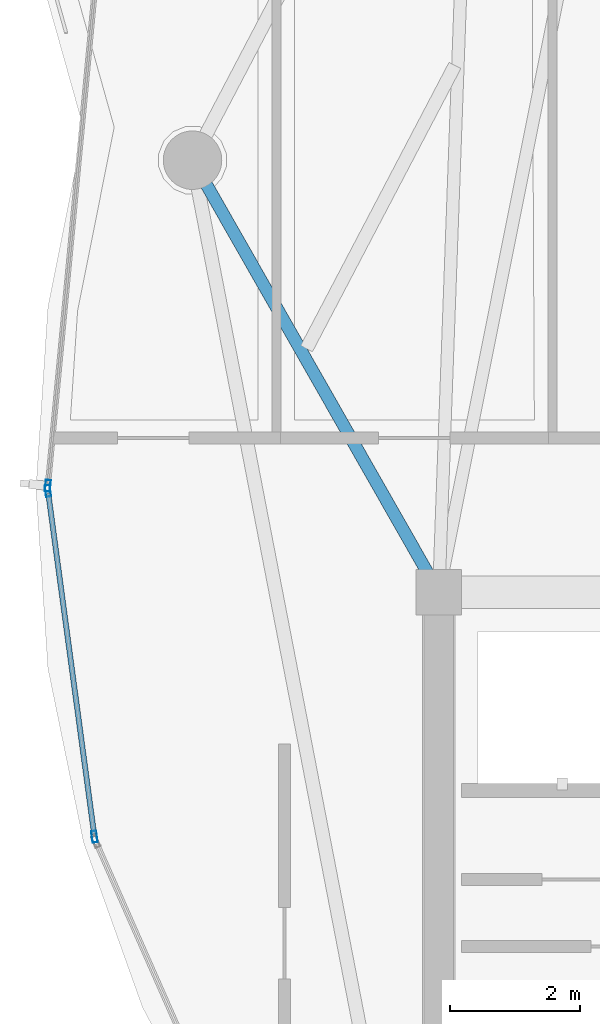
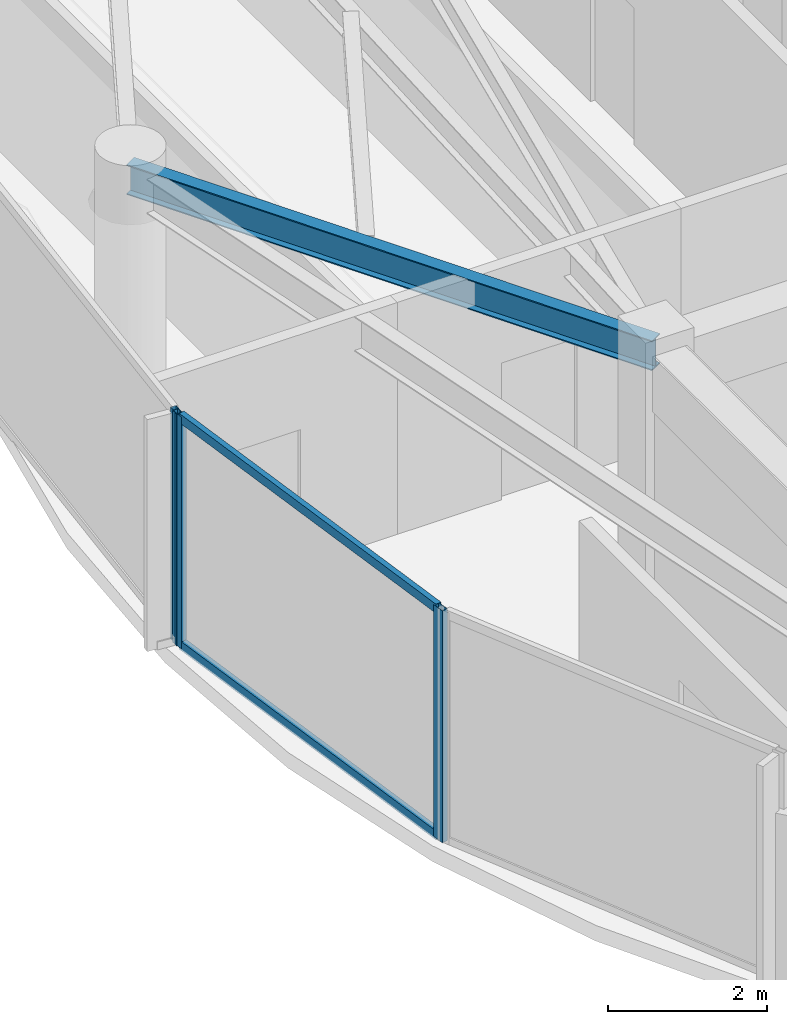
# One storey, part 8 of 23: 5 members, 1 beam, 2 elements without a shape of their own.
"""IFC4 building model written with IfcOpenShell, lengths in metres."""

from ifc_helpers import new_model, si_unit, direction, frame, origin, origin_2d, place, context, subcontext, project, spatial, hollow_rectangle, i_section, extrude, material, layer, layer_set, material_profile, profile_set, type_object, element, aggregate, save


model = new_model("IFC4")

# Units and contexts
model_context = context("Model", 3, precision=1e-05, world=origin(), true_north=direction((0.0, 1.0)))
body_context = subcontext(model_context, "Body", "Model", "MODEL_VIEW")
ifc_project = project(units=[si_unit("LENGTHUNIT", "METRE"), si_unit("AREAUNIT", "SQUARE_METRE"), si_unit("VOLUMEUNIT", "CUBIC_METRE"), si_unit("PLANEANGLEUNIT", "RADIAN"), si_unit("MASSUNIT", "GRAM", prefix="KILO")], contexts=[model_context])

# Site, building, storey
site_placement = place(None, origin())
site = spatial("IfcSite", under=ifc_project, at=site_placement, CompositionType="ELEMENT")
building_placement = place(site_placement, origin())
building = spatial("IfcBuilding", under=site, at=building_placement, Name="Kazevale Care Tower and Concert Hall", CompositionType="ELEMENT")
storey_placement = place(building_placement, frame((0.0, 0.0, 270.0)))
storey = spatial("IfcBuildingStorey", under=building, at=storey_placement, Name="L71", CompositionType="ELEMENT", Elevation=270.0)

# Curtain wall, members
ifc_material_1 = material(Name="Aluminium 6063-T6 and Low-E Glass", Category="aluminium")
ifc_layer = layer(ifc_material_1, 0.179931640625)
ifc_layer_set = layer_set([ifc_layer], Name="Aluminium 6063-T6 and Low-E Glass")
curtain_wall_type = type_object("IfcCurtainWallType", Name="Waist & Upper Residential Curtain Wall CW-4", PredefinedType="NOTDEFINED", material=ifc_layer_set)
curtain_wall_1_placement = place(storey_placement, origin())
curtain_wall_1 = element("IfcCurtainWall", 1, at=curtain_wall_1_placement, inside=storey, type_object=curtain_wall_type, Name="cw:L71:f08", PredefinedType="NOTDEFINED")
ifc_material_2 = material(Name="Aluminium 6063-T6", Category="aluminium")
ifc_material_profile_1 = material_profile(ifc_material_2, hollow_rectangle(XDim=0.080078125, YDim=0.179931640625, WallThickness=0.0048828125, at=origin_2d()), Name="ALU80x180x5")
ifc_profile_set_1 = profile_set([ifc_material_profile_1], Name="Aluminium 6063-T6")
member_type_1 = type_object("IfcMemberType", Name="CW-4 Mullion ALU80x180x5", PredefinedType="MULLION", material=ifc_profile_set_1)
member_1_placement = place(storey_placement, frame((16.70068359375, 32.6396484375, 0.0), z_axis=(0.0, 0.0, 1.0), x_axis=(-0.991083047722, -0.133245609751, 0.0)))
member_1 = element("IfcMember", 2, at=member_1_placement, type_object=member_type_1, Name="CW-4 mullion 1", PredefinedType="MULLION", context=body_context, shape_type="SweptSolid", body=[
    extrude(hollow_rectangle(XDim=0.080078125, YDim=0.179931640625, WallThickness=0.0048828125, at=origin_2d()), origin(), (0.0, 0.0, 1.0), 3.56005859375),
])
member_2_placement = place(storey_placement, frame((15.9853515625, 37.96044921875, 0.0), z_axis=(0.0, 0.0, 1.0), x_axis=(-0.991083047722, -0.133245609751, 0.0)))
member_2 = element("IfcMember", 3, at=member_2_placement, type_object=member_type_1, Name="CW-4 mullion 2", PredefinedType="MULLION", context=body_context, shape_type="SweptSolid", body=[
    extrude(hollow_rectangle(XDim=0.080078125, YDim=0.179931640625, WallThickness=0.0048828125, at=origin_2d()), origin(), (0.0, 0.0, 1.0), 3.56005859375),
])

# Curtain wall, member
curtain_wall_2_placement = place(storey_placement, origin())
curtain_wall_2 = element("IfcCurtainWall", 4, at=curtain_wall_2_placement, inside=storey, type_object=curtain_wall_type, Name="cw:L71:f09", PredefinedType="NOTDEFINED")
member_3_placement = place(storey_placement, frame((15.98388671875, 38.039794921875, 0.0), z_axis=(0.0, 0.0, 1.0), x_axis=(-0.995549708489, 0.094237879477, 0.0)))
member_3 = element("IfcMember", 5, at=member_3_placement, type_object=member_type_1, Name="CW-4 mullion 1", PredefinedType="MULLION", context=body_context, shape_type="SweptSolid", body=[
    extrude(hollow_rectangle(XDim=0.080078125, YDim=0.179931640625, WallThickness=0.0048828125, at=origin_2d()), origin(), (0.0, 0.0, 1.0), 3.56005859375),
])
aggregate(curtain_wall_2, [member_3])

# Member
ifc_material_profile_2 = material_profile(ifc_material_2, hollow_rectangle(XDim=0.080078125, YDim=0.139892578125, WallThickness=0.00390625, at=origin_2d()), Name="ALU80x140x4")
ifc_profile_set_2 = profile_set([ifc_material_profile_2], Name="Aluminium 6063-T6")
member_type_2 = type_object("IfcMemberType", Name="CW-4 Transom ALU80x140x4", PredefinedType="USERDEFINED", material=ifc_profile_set_2)
member_4_placement = place(storey_placement, frame((16.6953125, 32.67919921875, 0.0400390625), z_axis=(-0.133228026352, 0.991085411554, 0.0), x_axis=(-0.991085411554, -0.133228026352, 0.0)))
member_4 = element("IfcMember", 6, at=member_4_placement, type_object=member_type_2, Name="CW-4 transom 1.1", ObjectType="TRANSOM", PredefinedType="USERDEFINED", context=body_context, shape_type="SweptSolid", body=[
    extrude(hollow_rectangle(XDim=0.080078125, YDim=0.139892578125, WallThickness=0.00390625, at=origin_2d()), origin(), (0.0, 0.0, 1.0), 5.28857421875),
])

member_5_placement = place(storey_placement, frame((16.6953125, 32.67919921875, 3.52001953125), z_axis=(-0.133228026352, 0.991085411554, 0.0), x_axis=(-0.991085411554, -0.133228026352, 0.0)))
member_5 = element("IfcMember", 7, at=member_5_placement, type_object=member_type_2, Name="CW-4 transom 1.2", ObjectType="TRANSOM", PredefinedType="USERDEFINED", context=body_context, shape_type="SweptSolid", body=[
    extrude(hollow_rectangle(XDim=0.080078125, YDim=0.139892578125, WallThickness=0.00390625, at=origin_2d()), origin(), (0.0, 0.0, 1.0), 5.28857421875),
])

aggregate(curtain_wall_1, [member_1, member_2, member_4, member_5])

# Beam
ifc_material_3 = material(Name="Steel ASTM A572 Gr 50", Category="steel")
ifc_material_profile_3 = material_profile(ifc_material_3, i_section(OverallWidth=0.19091796875, OverallDepth=0.4599609375, WebThickness=0.010009765625, FlangeThickness=0.01611328125, at=origin_2d()), Name="W460x82")
ifc_profile_set_3 = profile_set([ifc_material_profile_3], Name="Steel ASTM A572 Gr 50")
beam_type = type_object("IfcBeamType", Name="Radial Floor Beam W460x82", PredefinedType="BEAM", material=ifc_profile_set_3)
beam_placement = place(storey_placement, frame((22.0, 36.39990234375, 3.330078125), z_axis=(-0.495149357892, 0.868807869082, 0.0), x_axis=(-0.868807869082, -0.495149357892, 0.0)))
element("IfcBeam", 8, at=beam_placement, inside=storey, type_object=beam_type, Name="beam:L71:rad:09", PredefinedType="BEAM", context=body_context, shape_type="SweptSolid", body=[
    extrude(i_section(OverallWidth=0.19091796875, OverallDepth=0.4599609375, WebThickness=0.010009765625, FlangeThickness=0.01611328125, at=origin_2d()), origin(), (0.0, 0.0, 1.0), 7.654296875),
])

save(model, "model.ifc")
